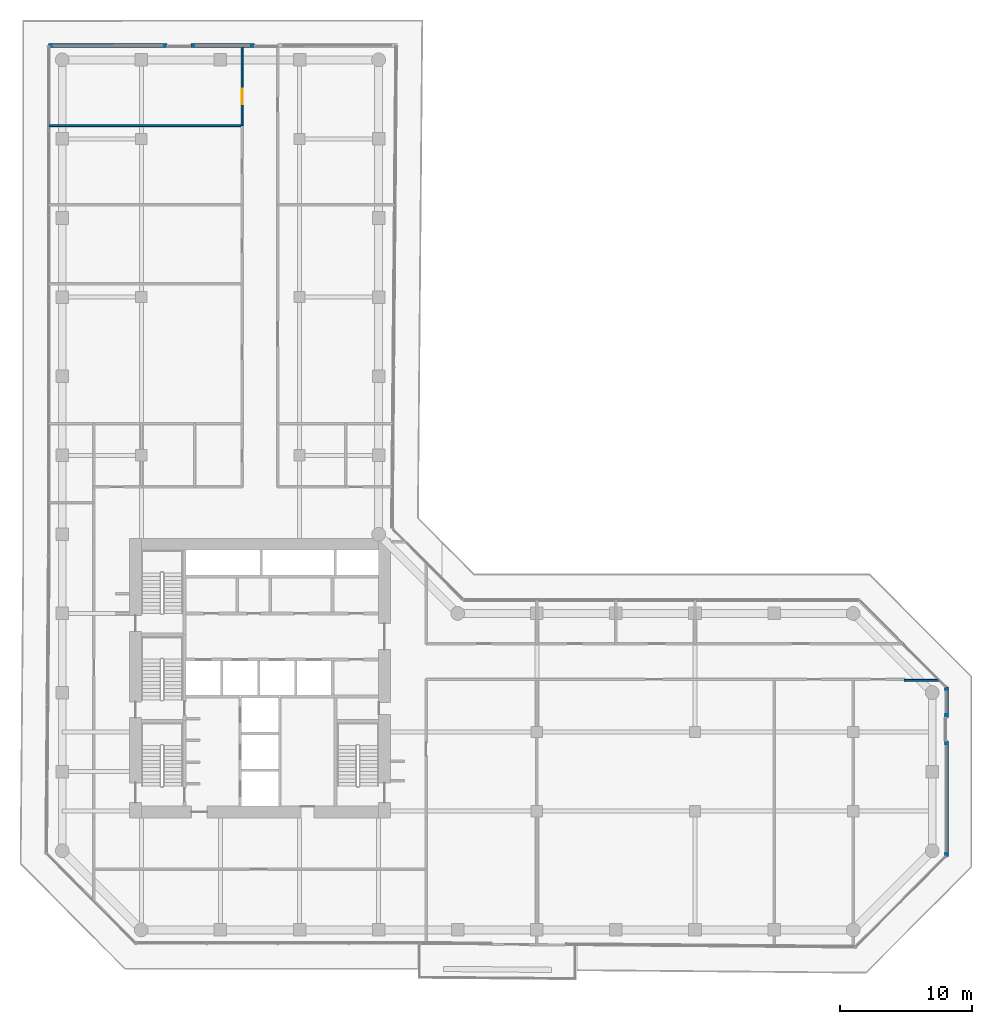
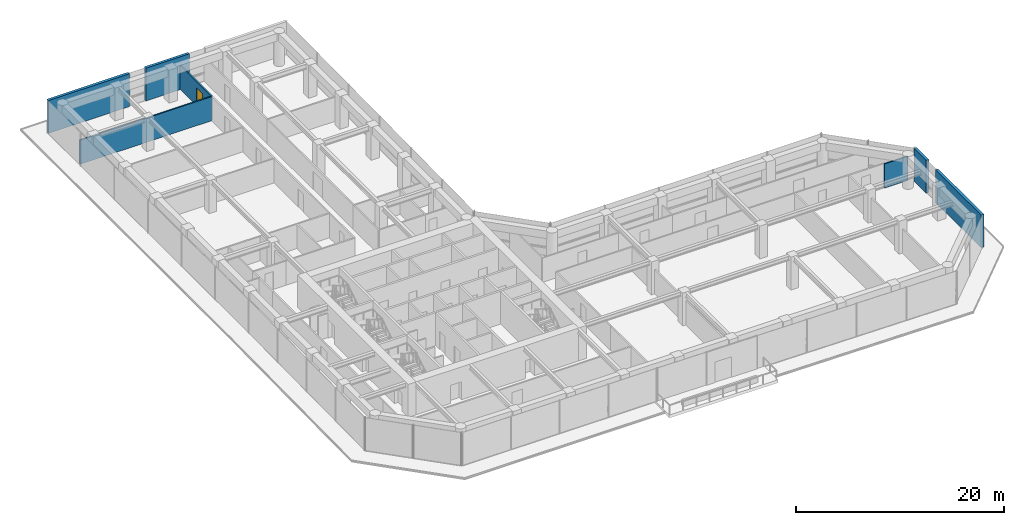
# One storey, part 26 of 29: 7 walls, 1 door, 1 opening.
"""IFC4 building model written with IfcOpenShell, lengths in metres."""

from ifc_helpers import new_model, si_unit, direction, frame, frame_2d, origin, place, context, subcontext, project, spatial, rectangle, extrude, material, layer, layer_set, type_object, element, fill, save


model = new_model("IFC4")

# Units and contexts
model_context = context("Model", 3, precision=1e-05, world=origin(), true_north=direction((0.0, 1.0)))
body_context = subcontext(model_context, "Body", "Model", "MODEL_VIEW")
ifc_project = project(units=[si_unit("LENGTHUNIT", "METRE"), si_unit("AREAUNIT", "SQUARE_METRE"), si_unit("VOLUMEUNIT", "CUBIC_METRE"), si_unit("PLANEANGLEUNIT", "RADIAN"), si_unit("MASSUNIT", "GRAM", prefix="KILO")], contexts=[model_context])

# Site, building, storey
site_placement = place(None, origin())
site = spatial("IfcSite", under=ifc_project, at=site_placement, CompositionType="ELEMENT")
building_placement = place(site_placement, origin())
building = spatial("IfcBuilding", under=site, at=building_placement, Name="Welwitschia Terrace Campus", CompositionType="ELEMENT")
storey_placement = place(building_placement, frame((0.0, 0.0, 50.0)))
storey = spatial("IfcBuildingStorey", under=building, at=storey_placement, Name="L11", CompositionType="ELEMENT", Elevation=50.0)

# Wall
ifc_material_1 = material(Name="Gypsum board on steel studs", Category="steel")
ifc_layer_1 = layer(ifc_material_1, 0.14990234375)
ifc_layer_set_1 = layer_set([ifc_layer_1], Name="Gypsum board on steel studs")
wall_type_1 = type_object("IfcWallType", Name="Corridor partition 150 EI 30", PredefinedType="PARTITIONING", material=ifc_layer_set_1)
wall_1_placement = place(storey_placement, frame((-1.010009765625, 57.0, 0.0), z_axis=(0.0, 0.0, 1.0), x_axis=(1.0, 0.0, 0.0)))
element("IfcWall", 1, at=wall_1_placement, inside=storey, type_object=wall_type_1, Name="Partition", PredefinedType="PARTITIONING", context=body_context, shape_type="SweptSolid", body=[
    extrude(rectangle(XDim=14.659912109375, YDim=0.14990234375, at=frame_2d((7.330078125, 0.0))), origin(), (0.0, 0.0, 1.0), 2.830078125),
])

# Wall, opening, door
wall_2_placement = place(storey_placement, frame((13.64990234375, 57.0, 0.0), z_axis=(0.0, 0.0, 1.0), x_axis=(0.0, 1.0, 0.0)))
wall_2 = element("IfcWall", 2, at=wall_2_placement, inside=storey, type_object=wall_type_1, Name="Partition", PredefinedType="PARTITIONING", context=body_context, shape_type="SweptSolid", body=[
    extrude(rectangle(XDim=6.128173828125, YDim=0.14990234375, at=frame_2d((3.06396484375, 0.0))), origin(), (0.0, 0.0, 1.0), 2.830078125),
])
opening_placement = place(wall_2_placement, frame((1.6201171875, 0.0, 0.0)))
opening = element("IfcOpeningElement", 3, at=opening_placement, cuts=wall_2, Name="Opening DI12", PredefinedType="OPENING", context=body_context, shape_type="SweptSolid", body=[
    extrude(rectangle(XDim=1.199951171875, YDim=2.10009765625, at=frame_2d((0.60009765625, 1.050048828125))), frame((0.0, 0.0849609375, 0.0), z_axis=(0.0, -1.0, 0.0), x_axis=(1.0, 0.0, 0.0)), (0.0, 0.0, 1.0), 0.169921875),
])
ifc_material_2 = material(Name="Timber veneered door", Category="wood")
door_type = type_object("IfcDoorType", Name="Interior door DI12", OperationType="NOTDEFINED", PredefinedType="DOOR", material=ifc_material_2)
door_placement = place(opening_placement, origin())
door = element("IfcDoor", 4, at=door_placement, inside=storey, type_object=door_type, Name="Door L11 254", OperationType="SINGLE_SWING_LEFT", OverallHeight=2.10009765625, OverallWidth=1.199951171875, PredefinedType="DOOR", context=body_context, shape_type="SweptSolid", body=[
    extrude(rectangle(XDim=1.199951171875, YDim=2.10009765625, at=frame_2d((0.60009765625, 1.050048828125))), frame((0.0, 0.02490234375, 0.0), z_axis=(0.0, -1.0, 0.0), x_axis=(1.0, 0.0, 0.0)), (0.0, 0.0, 1.0), 0.050048828125),
])
fill(opening, door)

# Walls
wall_3_placement = place(storey_placement, frame((63.8701171875, 14.919921875, 0.0), z_axis=(0.0, 0.0, 1.0), x_axis=(1.0, 0.0, 0.0)))
element("IfcWall", 5, at=wall_3_placement, inside=storey, type_object=wall_type_1, Name="Partition", PredefinedType="PARTITIONING", context=body_context, shape_type="SweptSolid", body=[
    extrude(rectangle(XDim=2.621337890625, YDim=0.14990234375, at=frame_2d((1.310546875, 0.0))), origin(), (0.0, 0.0, 1.0), 2.830078125),
])
ifc_material_3 = material(Name="Concrete C40/50", Category="concrete")
ifc_layer_2 = layer(ifc_material_3, 0.300048828125)
ifc_layer_set_2 = layer_set([ifc_layer_2], Name="Concrete C40/50")
wall_type_2 = type_object("IfcWallType", Name="Mass wall 300", PredefinedType="SOLIDWALL", material=ifc_layer_set_2)
wall_4_placement = place(storey_placement, frame((67.078857421875, 1.561767578125, 0.0), z_axis=(0.0, 0.0, 1.0), x_axis=(0.0, 1.0, 0.0)))
element("IfcWall", 6, at=wall_4_placement, inside=storey, type_object=wall_type_2, Name="Mass wall L11.4.0", PredefinedType="SOLIDWALL", context=body_context, shape_type="SweptSolid", body=[
    extrude(rectangle(XDim=8.75732421875, YDim=0.300048828125, at=frame_2d((4.378662109375, 0.0))), origin(), (0.0, 0.0, 1.0), 3.85009765625),
])
wall_5_placement = place(storey_placement, frame((67.078857421875, 12.119140625, 0.0), z_axis=(0.0, 0.0, 1.0), x_axis=(0.0, 1.0, 0.0)))
element("IfcWall", 7, at=wall_5_placement, inside=storey, type_object=wall_type_2, Name="Mass wall L11.4.1", PredefinedType="SOLIDWALL", context=body_context, shape_type="SweptSolid", body=[
    extrude(rectangle(XDim=2.319091796875, YDim=0.300048828125, at=frame_2d((1.15966796875, 0.0))), origin(), (0.0, 0.0, 1.0), 3.85009765625),
])
wall_6_placement = place(storey_placement, frame((14.575927734375, 63.0908203125, 0.0), z_axis=(0.0, 0.0, 1.0), x_axis=(-0.999999747891, -0.000710083002, 0.0)))
element("IfcWall", 8, at=wall_6_placement, inside=storey, type_object=wall_type_2, Name="Mass wall L11.9.1", PredefinedType="SOLIDWALL", context=body_context, shape_type="SweptSolid", body=[
    extrude(rectangle(XDim=4.8134765625, YDim=0.300048828125, at=frame_2d((2.40673828125, 0.0))), origin(), (0.0, 0.0, 1.0), 3.85009765625),
])
wall_7_placement = place(storey_placement, frame((7.96240234375, 63.080078125, 0.0), z_axis=(0.0, 0.0, 1.0), x_axis=(-0.999999752409, -0.000703691501, 0.0)))
element("IfcWall", 9, at=wall_7_placement, inside=storey, type_object=wall_type_2, Name="Mass wall L11.9.2", PredefinedType="SOLIDWALL", context=body_context, shape_type="SweptSolid", body=[
    extrude(rectangle(XDim=9.0205078125, YDim=0.300048828125, at=frame_2d((4.51025390625, 0.0))), origin(), (0.0, 0.0, 1.0), 3.85009765625),
])

save(model, "model.ifc")
